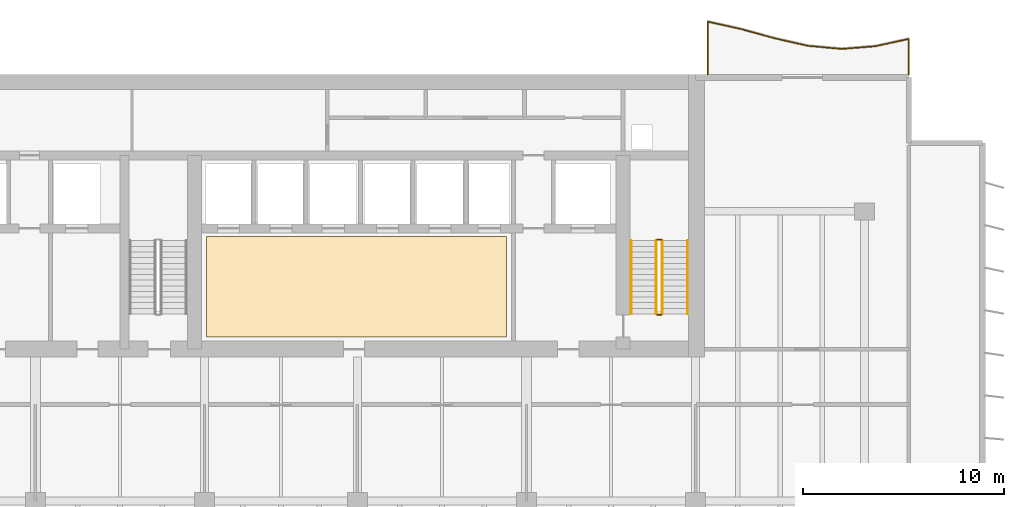
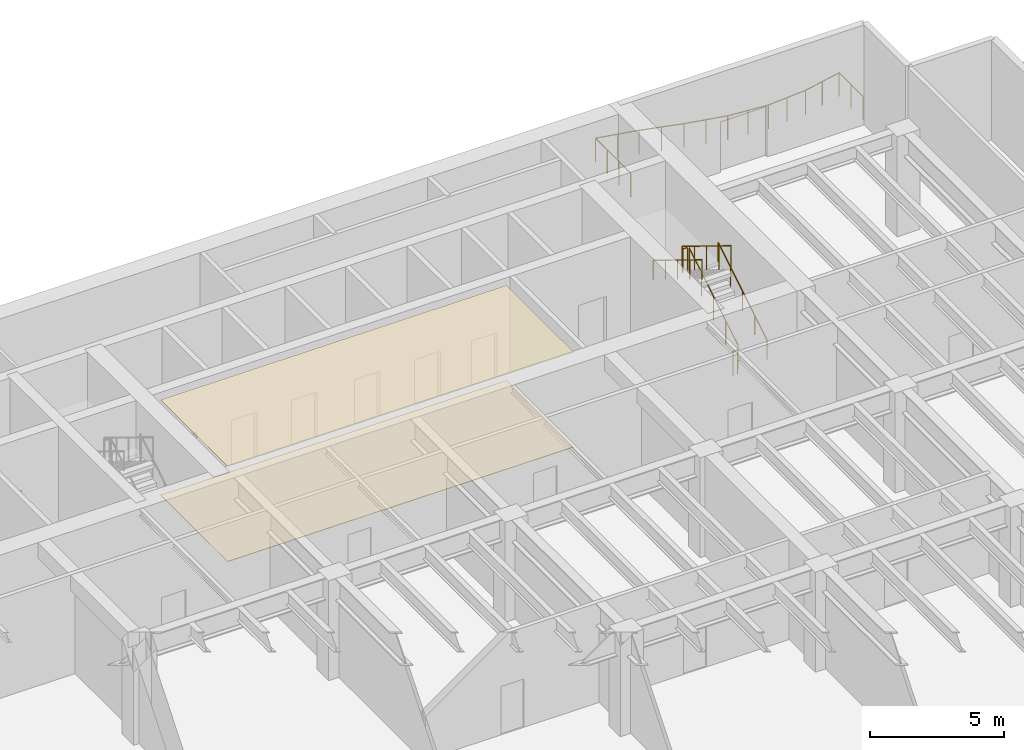
# One storey, part 15 of 16: 7 railings, 2 coverings.
"""IFC4 building model written with IfcOpenShell, lengths in metres."""

from ifc_helpers import new_model, si_unit, direction, frame, origin, origin_2d, place, context, subcontext, project, spatial, polyline, circle, outline, extrude, material, layer, layer_set, type_object, element, save


model = new_model("IFC4")

# Units and contexts
model_context = context("Model", 3, precision=1e-05, world=origin(), true_north=direction((0.0, 1.0)))
body_context = subcontext(model_context, "Body", "Model", "MODEL_VIEW")
ifc_project = project(units=[si_unit("LENGTHUNIT", "METRE"), si_unit("AREAUNIT", "SQUARE_METRE"), si_unit("VOLUMEUNIT", "CUBIC_METRE"), si_unit("PLANEANGLEUNIT", "RADIAN"), si_unit("MASSUNIT", "GRAM", prefix="KILO")], contexts=[model_context])

# Site, building, storey
site_placement = place(None, origin())
site = spatial("IfcSite", under=ifc_project, at=site_placement, CompositionType="ELEMENT")
building_placement = place(site_placement, origin())
building = spatial("IfcBuilding", under=site, at=building_placement, Name="Caelmar Bay Residences", CompositionType="ELEMENT")
storey_placement = place(building_placement, frame((0.0, 0.0, 97.800048828125)))
storey = spatial("IfcBuildingStorey", under=building, at=storey_placement, Name="L26", CompositionType="ELEMENT", Elevation=97.800048828125)

# Coverings
ifc_material_1 = material(Name="Perforated acoustic gypsum-mineral ceiling tile 20 mm")
ifc_layer_1 = layer(ifc_material_1, 0.02001953125)
ifc_layer_set_1 = layer_set([ifc_layer_1], Name="Perforated acoustic gypsum-mineral ceiling tile 20 mm")
covering_type_1 = type_object("IfcCoveringType", Name="COV-CEIL-20", PredefinedType="CEILING", material=ifc_layer_set_1)
covering_1_placement = place(storey_placement, frame((0.0, 0.0, 4.329833984375)))
element("IfcCovering", 1, at=covering_1_placement, inside=storey, type_object=covering_type_1, Name="L26 Lift Lobby Acoustic Ceiling", PredefinedType="CEILING", context=body_context, shape_type="SweptSolid", body=[
    extrude(outline(polyline([(35.199951171875, 37.550048828125), (50.10009765625, 37.550048828125), (50.10009765625, 42.550048828125), (35.199951171875, 42.550048828125), (35.199951171875, 37.550048828125)])), origin(), (0.0, 0.0, 1.0), 0.02001953125),
])
ifc_material_2 = material(Name="Honed terrazzo and engineered white-oak flooring 20 mm")
ifc_layer_2 = layer(ifc_material_2, 0.02001953125)
ifc_layer_set_2 = layer_set([ifc_layer_2], Name="Honed terrazzo and engineered white-oak flooring 20 mm")
covering_type_2 = type_object("IfcCoveringType", Name="COV-FLR-20", PredefinedType="FLOORING", material=ifc_layer_set_2)
covering_2_placement = place(storey_placement, origin())
element("IfcCovering", 2, at=covering_2_placement, inside=storey, type_object=covering_type_2, Name="L26 Lift Lobby Terrazzo Flooring", PredefinedType="FLOORING", context=body_context, shape_type="SweptSolid", body=[
    extrude(outline(polyline([(35.199951171875, 37.550048828125), (50.10009765625, 37.550048828125), (50.10009765625, 42.550048828125), (35.199951171875, 42.550048828125), (35.199951171875, 37.550048828125)])), origin(), (0.0, 0.0, 1.0), 0.02001953125),
])

# Railings
ifc_material_3 = material(Name="Anodised bronze handrail with laminated hurricane glass infill", Category="glass")
railing_type_1 = type_object("IfcRailingType", Name="RL-BAL-1100", PredefinedType="BALUSTRADE", material=ifc_material_3)
railing_1_placement = place(storey_placement, frame((70.10009765625, 50.60009765625, 0.0)))
element("IfcRailing", 3, at=railing_1_placement, inside=storey, type_object=railing_type_1, Name="L26 north_east Balcony Balustrade", PredefinedType="BALUSTRADE", context=body_context, shape_type="SweptSolid", body=[
    extrude(circle(Radius=0.02392578125, at=origin_2d()), frame((0.0, 0.0, 1.076171875), z_axis=(0.0, 1.0, 0.0), x_axis=(-1.0, 0.0, 0.0)), (0.0, 0.0, 1.0), 1.766845703125),
    extrude(circle(Radius=0.02392578125, at=origin_2d()), frame((0.0, 1.766845703125, 1.076171875), z_axis=(-0.976912151589, -0.213641400663, 0.0), x_axis=(0.213641400663, -0.976912151589, 0.0)), (0.0, 0.0, 1.0), 1.7060546875),
    extrude(circle(Radius=0.02392578125, at=origin_2d()), frame((-1.666748046875, 1.40234375, 1.076171875), z_axis=(-0.996863381494, -0.079141636556, 0.0), x_axis=(0.079141636556, -0.996863381494, 0.0)), (0.0, 0.0, 1.0), 1.671875),
    extrude(circle(Radius=0.02392578125, at=origin_2d()), frame((-3.33349609375, 1.27001953125, 1.076171875), z_axis=(-0.995978866586, 0.089588488732, 0.0), x_axis=(-0.089588488732, -0.995978866586, 0.0)), (0.0, 0.0, 1.0), 1.67333984375),
    extrude(circle(Radius=0.02392578125, at=origin_2d()), frame((-5.0, 1.419921875, 1.076171875), z_axis=(-0.975550811442, 0.219774007324, 0.0), x_axis=(-0.219774007324, -0.975550811442, 0.0)), (0.0, 0.0, 1.0), 1.70849609375),
    extrude(circle(Radius=0.02392578125, at=origin_2d()), frame((-6.666748046875, 1.79541015625, 1.076171875), z_axis=(-0.964003851304, 0.265888274792, 0.0), x_axis=(-0.265888274792, -0.964003851304, 0.0)), (0.0, 0.0, 1.0), 1.72900390625),
    extrude(circle(Radius=0.02392578125, at=origin_2d()), frame((-8.33349609375, 2.255126953125, 1.076171875), z_axis=(-0.976032048917, 0.217626835402, 0.0), x_axis=(-0.217626835402, -0.976032048917, 0.0)), (0.0, 0.0, 1.0), 1.70751953125),
    extrude(circle(Radius=0.02392578125, at=origin_2d()), frame((-10.0, 2.626708984375, 1.076171875), z_axis=(0.0, -1.0, 0.0), x_axis=(1.0, 0.0, 0.0)), (0.0, 0.0, 1.0), 2.626708984375),
    extrude(circle(Radius=0.02099609375, at=origin_2d()), origin(), (0.0, 0.0, 1.0), 1.052001953125),
    extrude(circle(Radius=0.02099609375, at=origin_2d()), frame((0.0, 0.88330078125, 0.0)), (0.0, 0.0, 1.0), 1.052001953125),
    extrude(circle(Radius=0.02099609375, at=origin_2d()), frame((0.0, 1.766845703125, 0.0)), (0.0, 0.0, 1.0), 1.052001953125),
    extrude(circle(Radius=0.02099609375, at=origin_2d()), frame((-0.83349609375, 1.58447265625, 0.0)), (0.0, 0.0, 1.0), 1.052001953125),
    extrude(circle(Radius=0.02099609375, at=origin_2d()), frame((-1.666748046875, 1.40234375, 0.0)), (0.0, 0.0, 1.0), 1.052001953125),
    extrude(circle(Radius=0.02099609375, at=origin_2d()), frame((-2.5, 1.336181640625, 0.0)), (0.0, 0.0, 1.0), 1.052001953125),
    extrude(circle(Radius=0.02099609375, at=origin_2d()), frame((-3.33349609375, 1.27001953125, 0.0)), (0.0, 0.0, 1.0), 1.052001953125),
    extrude(circle(Radius=0.02099609375, at=origin_2d()), frame((-4.166748046875, 1.344970703125, 0.0)), (0.0, 0.0, 1.0), 1.052001953125),
    extrude(circle(Radius=0.02099609375, at=origin_2d()), frame((-5.0, 1.419921875, 0.0)), (0.0, 0.0, 1.0), 1.052001953125),
    extrude(circle(Radius=0.02099609375, at=origin_2d()), frame((-5.83349609375, 1.607666015625, 0.0)), (0.0, 0.0, 1.0), 1.052001953125),
    extrude(circle(Radius=0.02099609375, at=origin_2d()), frame((-6.666748046875, 1.79541015625, 0.0)), (0.0, 0.0, 1.0), 1.052001953125),
    extrude(circle(Radius=0.02099609375, at=origin_2d()), frame((-7.5, 2.025390625, 0.0)), (0.0, 0.0, 1.0), 1.052001953125),
    extrude(circle(Radius=0.02099609375, at=origin_2d()), frame((-8.33349609375, 2.255126953125, 0.0)), (0.0, 0.0, 1.0), 1.052001953125),
    extrude(circle(Radius=0.02099609375, at=origin_2d()), frame((-9.166748046875, 2.44091796875, 0.0)), (0.0, 0.0, 1.0), 1.052001953125),
    extrude(circle(Radius=0.02099609375, at=origin_2d()), frame((-10.0, 2.626708984375, 0.0)), (0.0, 0.0, 1.0), 1.052001953125),
    extrude(circle(Radius=0.02099609375, at=origin_2d()), frame((-10.0, 1.751220703125, 0.0)), (0.0, 0.0, 1.0), 1.052001953125),
    extrude(circle(Radius=0.02099609375, at=origin_2d()), frame((-10.0, 0.87548828125, 0.0)), (0.0, 0.0, 1.0), 1.052001953125),
    extrude(circle(Radius=0.02099609375, at=origin_2d()), frame((-10.0, 0.0, 0.0)), (0.0, 0.0, 1.0), 1.052001953125),
])
ifc_material_4 = material(Name="Painted galvanized steel stair guard 1100 mm", Category="steel")
railing_type_2 = type_object("IfcRailingType", Name="RL-GRD-1100", PredefinedType="GUARDRAIL", material=ifc_material_4)
railing_2_placement = place(storey_placement, frame((57.85009765625, 38.699951171875, 0.17138671875)))
element("IfcRailing", 4, at=railing_2_placement, inside=storey, type_object=railing_type_2, Name="L26 ST2 stair guard 1", PredefinedType="GUARDRAIL", context=body_context, shape_type="SweptSolid", body=[
    extrude(circle(Radius=0.02392578125, at=origin_2d()), frame((0.0, 0.0, 1.076171875), z_axis=(0.0, 0.852865859571, 0.52213008492), x_axis=(-1.0, 0.0, 0.0)), (0.0, 0.0, 1.0), 4.26806640625),
    extrude(circle(Radius=0.02099609375, at=origin_2d()), origin(), (0.0, 0.0, 1.0), 1.052001953125),
    extrude(circle(Radius=0.02099609375, at=origin_2d()), frame((0.0, 0.91015625, 0.55712890625)), (0.0, 0.0, 1.0), 1.052001953125),
    extrude(circle(Radius=0.02099609375, at=origin_2d()), frame((0.0, 1.820068359375, 1.1142578125)), (0.0, 0.0, 1.0), 1.052001953125),
    extrude(circle(Radius=0.02099609375, at=origin_2d()), frame((0.0, 2.72998046875, 1.67138671875)), (0.0, 0.0, 1.0), 1.052001953125),
    extrude(circle(Radius=0.02099609375, at=origin_2d()), frame((0.0, 3.64013671875, 2.228515625)), (0.0, 0.0, 1.0), 1.052001953125),
])
railing_3_placement = place(storey_placement, frame((57.800048828125, 42.389892578125, 2.39990234375)))
element("IfcRailing", 5, at=railing_3_placement, inside=storey, type_object=railing_type_2, Name="L26 ST2 stair guard 2", PredefinedType="GUARDRAIL", context=body_context, shape_type="SweptSolid", body=[
    extrude(circle(Radius=0.02392578125, at=origin_2d()), frame((0.0, 0.0, 1.076171875), z_axis=(-1.0, 0.0, 0.0), x_axis=(0.0, -1.0, 0.0)), (0.0, 0.0, 1.0), 0.199951171875),
    extrude(circle(Radius=0.02099609375, at=origin_2d()), origin(), (0.0, 0.0, 1.0), 1.052001953125),
    extrude(circle(Radius=0.02099609375, at=origin_2d()), frame((-0.199951171875, 0.0, 0.0)), (0.0, 0.0, 1.0), 1.052001953125),
])
railing_4_placement = place(storey_placement, frame((57.550048828125, 42.340087890625, 2.5712890625)))
element("IfcRailing", 6, at=railing_4_placement, inside=storey, type_object=railing_type_2, Name="L26 ST2 stair guard 3", PredefinedType="GUARDRAIL", context=body_context, shape_type="SweptSolid", body=[
    extrude(circle(Radius=0.02392578125, at=origin_2d()), frame((0.0, 0.0, 1.076171875), z_axis=(0.0, -0.852840387347, 0.522171689878), x_axis=(1.0, 0.0, 0.0)), (0.0, 0.0, 1.0), 4.268310546875),
    extrude(circle(Radius=0.02099609375, at=origin_2d()), origin(), (0.0, 0.0, 1.0), 1.052001953125),
    extrude(circle(Radius=0.02099609375, at=origin_2d()), frame((0.0, -0.91015625, 0.55712890625)), (0.0, 0.0, 1.0), 1.052001953125),
    extrude(circle(Radius=0.02099609375, at=origin_2d()), frame((0.0, -1.820068359375, 1.1142578125)), (0.0, 0.0, 1.0), 1.052001953125),
    extrude(circle(Radius=0.02099609375, at=origin_2d()), frame((0.0, -2.72998046875, 1.671630859375)), (0.0, 0.0, 1.0), 1.052001953125),
    extrude(circle(Radius=0.02099609375, at=origin_2d()), frame((0.0, -3.64013671875, 2.228759765625)), (0.0, 0.0, 1.0), 1.052001953125),
])
railing_5_placement = place(storey_placement, frame((57.800048828125, 38.64990234375, 0.0)))
element("IfcRailing", 7, at=railing_5_placement, inside=storey, type_object=railing_type_2, Name="L26 ST2 stair guard 4", PredefinedType="GUARDRAIL", context=body_context, shape_type="SweptSolid", body=[
    extrude(circle(Radius=0.02392578125, at=origin_2d()), frame((0.0, 0.0, 1.076171875), z_axis=(-1.0, 0.0, 0.0), x_axis=(0.0, -1.0, 0.0)), (0.0, 0.0, 1.0), 0.199951171875),
    extrude(circle(Radius=0.02099609375, at=origin_2d()), origin(), (0.0, 0.0, 1.0), 1.052001953125),
    extrude(circle(Radius=0.02099609375, at=origin_2d()), frame((-0.199951171875, 0.0, 0.0)), (0.0, 0.0, 1.0), 1.052001953125),
])
ifc_material_5 = material(Name="Brushed bronze stainless-steel tubular handrail 900 mm", Category="steel")
railing_type_3 = type_object("IfcRailingType", Name="RL-HND-900", PredefinedType="HANDRAIL", material=ifc_material_5)
railing_6_placement = place(storey_placement, frame((59.10009765625, 38.699951171875, 0.17138671875)))
element("IfcRailing", 8, at=railing_6_placement, inside=storey, type_object=railing_type_3, Name="L26 ST2 stair handrail 1", PredefinedType="HANDRAIL", context=body_context, shape_type="SweptSolid", body=[
    extrude(circle(Radius=0.02392578125, at=origin_2d()), frame((0.0, 0.0, 0.8759765625), z_axis=(0.0, 0.852865859571, 0.52213008492), x_axis=(-1.0, 0.0, 0.0)), (0.0, 0.0, 1.0), 4.26806640625),
    extrude(circle(Radius=0.02099609375, at=origin_2d()), origin(), (0.0, 0.0, 1.0), 0.851806640625),
    extrude(circle(Radius=0.02099609375, at=origin_2d()), frame((0.0, 0.91015625, 0.55712890625)), (0.0, 0.0, 1.0), 0.851806640625),
    extrude(circle(Radius=0.02099609375, at=origin_2d()), frame((0.0, 1.820068359375, 1.1142578125)), (0.0, 0.0, 1.0), 0.851806640625),
    extrude(circle(Radius=0.02099609375, at=origin_2d()), frame((0.0, 2.72998046875, 1.67138671875)), (0.0, 0.0, 1.0), 0.851806640625),
    extrude(circle(Radius=0.02099609375, at=origin_2d()), frame((0.0, 3.64013671875, 2.228515625)), (0.0, 0.0, 1.0), 0.851806640625),
])
railing_7_placement = place(storey_placement, frame((56.300048828125, 42.340087890625, 2.5712890625)))
element("IfcRailing", 9, at=railing_7_placement, inside=storey, type_object=railing_type_3, Name="L26 ST2 stair handrail 2", PredefinedType="HANDRAIL", context=body_context, shape_type="SweptSolid", body=[
    extrude(circle(Radius=0.02392578125, at=origin_2d()), frame((0.0, 0.0, 0.8759765625), z_axis=(0.0, -0.852840387347, 0.522171689878), x_axis=(1.0, 0.0, 0.0)), (0.0, 0.0, 1.0), 4.268310546875),
    extrude(circle(Radius=0.02099609375, at=origin_2d()), origin(), (0.0, 0.0, 1.0), 0.851806640625),
    extrude(circle(Radius=0.02099609375, at=origin_2d()), frame((0.0, -0.91015625, 0.55712890625)), (0.0, 0.0, 1.0), 0.851806640625),
    extrude(circle(Radius=0.02099609375, at=origin_2d()), frame((0.0, -1.820068359375, 1.1142578125)), (0.0, 0.0, 1.0), 0.851806640625),
    extrude(circle(Radius=0.02099609375, at=origin_2d()), frame((0.0, -2.72998046875, 1.671630859375)), (0.0, 0.0, 1.0), 0.851806640625),
    extrude(circle(Radius=0.02099609375, at=origin_2d()), frame((0.0, -3.64013671875, 2.228759765625)), (0.0, 0.0, 1.0), 0.851806640625),
])

save(model, "model.ifc")
